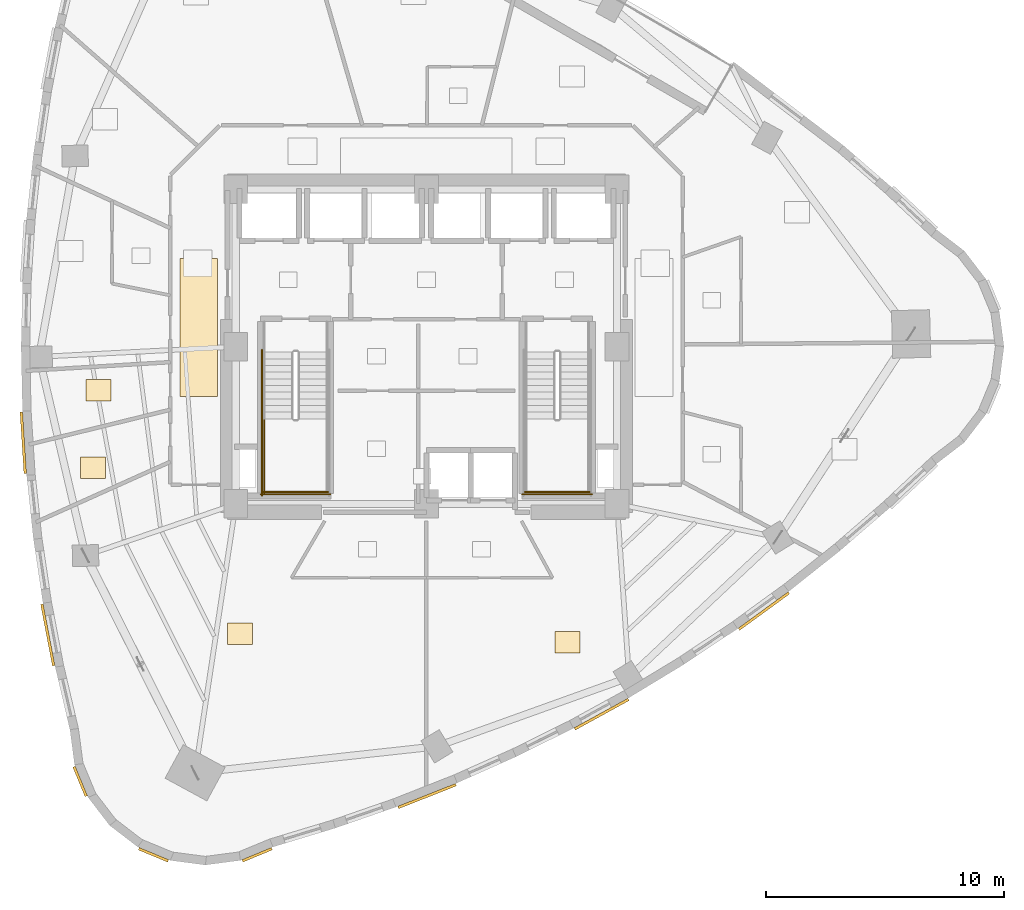
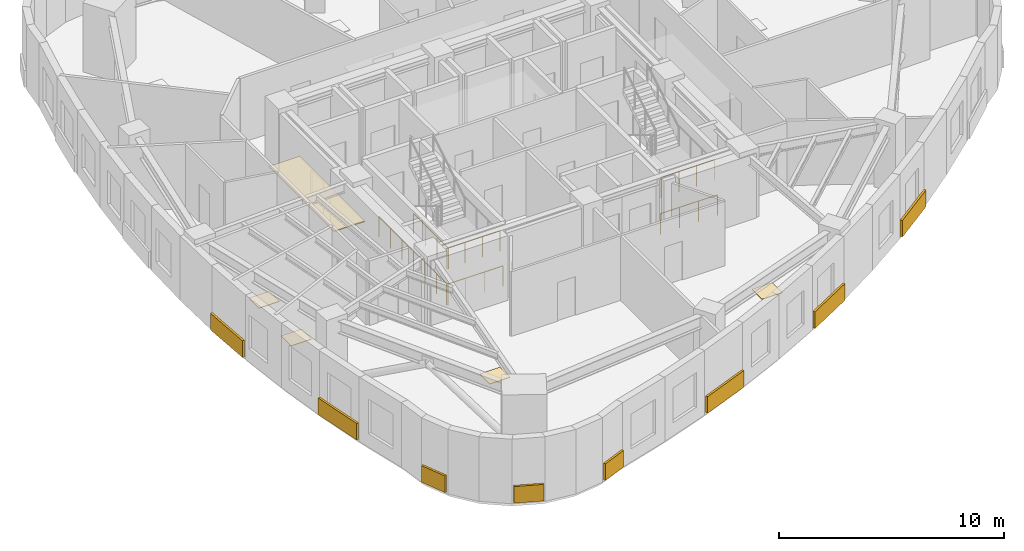
# One storey, part 12 of 14: 13 coverings, 6 railings.
"""IFC4 building model written with IfcOpenShell, lengths in metres."""

from ifc_helpers import new_model, si_unit, direction, frame, origin, origin_2d, place, context, subcontext, project, spatial, rectangle, circle, extrude, material, layer, layer_set, type_object, element, save


model = new_model("IFC4")

# Units and contexts
model_context = context("Model", 3, precision=1e-05, world=origin(), true_north=direction((0.0, 1.0)))
body_context = subcontext(model_context, "Body", "Model", "MODEL_VIEW")
ifc_project = project(units=[si_unit("LENGTHUNIT", "METRE"), si_unit("AREAUNIT", "SQUARE_METRE"), si_unit("VOLUMEUNIT", "CUBIC_METRE"), si_unit("PLANEANGLEUNIT", "RADIAN"), si_unit("MASSUNIT", "GRAM", prefix="KILO")], contexts=[model_context])

# Site, building, storey
site_placement = place(None, origin())
site = spatial("IfcSite", under=ifc_project, at=site_placement, CompositionType="ELEMENT")
building_placement = place(site_placement, origin())
building = spatial("IfcBuilding", under=site, at=building_placement, Name="Ndelora Gate Hotel", CompositionType="ELEMENT")
storey_placement = place(building_placement, frame((0.0, 0.0, 127.25)))
storey = spatial("IfcBuildingStorey", under=building, at=storey_placement, Name="L31", CompositionType="ELEMENT", Elevation=127.25)

# Coverings
ifc_material_1 = material(Name="Perforated Acoustic Gypsum Board", Category="gypsum")
ifc_layer_1 = layer(ifc_material_1, 0.054931640625)
ifc_layer_set_1 = layer_set([ifc_layer_1], Name="Perforated Acoustic Gypsum Board")
covering_type_1 = type_object("IfcCoveringType", Name="COV-CEIL-AC60", PredefinedType="CEILING", material=ifc_layer_set_1)
covering_1_placement = place(storey_placement, frame((-9.550048828125, 0.800048828125, 2.65234375), z_axis=(0.0, 0.0, 1.0), x_axis=(1.0, 0.0, 0.0)))
element("IfcCovering", 1, at=covering_1_placement, inside=storey, type_object=covering_type_1, Name="L31 Guest Corridor Acoustic Ceiling W", PredefinedType="CEILING", context=body_context, shape_type="SweptSolid", body=[
    extrude(rectangle(XDim=1.580078125, YDim=5.800048828125, at=origin_2d()), origin(), (0.0, 0.0, 1.0), 0.054931640625),
])
ifc_material_2 = material(Name="Terracotta Fired Clay Brick Slip Cladding", Category="masonry")
ifc_layer_2 = layer(ifc_material_2, 0.110107421875)
ifc_layer_set_2 = layer_set([ifc_layer_2], Name="Terracotta Fired Clay Brick Slip Cladding")
covering_type_2 = type_object("IfcCoveringType", Name="COV-CLAD-BRK", PredefinedType="CLADDING", material=ifc_layer_set_2)
covering_2_placement = place(storey_placement, frame((-16.9208984375, -4.033203125, 0.10009765625), z_axis=(0.0, 0.0, 1.0), x_axis=(-0.063661438132, 0.99797155335, 0.0)))
element("IfcCovering", 2, at=covering_2_placement, inside=storey, type_object=covering_type_2, Name="L31 Rounded-Corner Brick Cladding Band 16", PredefinedType="CLADDING", context=body_context, shape_type="SweptSolid", body=[
    extrude(rectangle(XDim=2.583984375, YDim=0.110107421875, at=origin_2d()), origin(), (0.0, 0.0, 1.0), 0.89990234375),
])
covering_3_placement = place(storey_placement, frame((-15.89208984375, -12.09912109375, 0.10009765625), z_axis=(0.0, 0.0, 1.0), x_axis=(-0.187895613278, 0.982189003456, 0.0)))
element("IfcCovering", 3, at=covering_3_placement, inside=storey, type_object=covering_type_2, Name="L31 Rounded-Corner Brick Cladding Band 19", PredefinedType="CLADDING", context=body_context, shape_type="SweptSolid", body=[
    extrude(rectangle(XDim=2.6279296875, YDim=0.110107421875, at=origin_2d()), origin(), (0.0, 0.0, 1.0), 0.89990234375),
])
for number, where, z_axis, x_axis, name in (
    (4, (-14.53369140625, -18.249755859375, 0.10009765625), (0.0, 0.0, 1.0), (-0.382683432365, 0.923879532511, 0.0), "L31 Rounded-Corner Brick Cladding Band 22"),
    (5, (-11.456298828125, -21.327392578125, 0.10009765625), (0.0, 0.0, 1.0), (-0.923879532511, 0.382683432365, 0.0), "L31 Rounded-Corner Brick Cladding Band 25"),
    (6, (-7.104248046875, -21.327392578125, 0.10009765625), (0.0, 0.0, 1.0), (0.923879532511, 0.382683432365, 0.0), "L31 Rounded-Corner Brick Cladding Band 28"),
):
    element("IfcCovering", number, at=place(storey_placement, frame(where, z_axis=z_axis, x_axis=x_axis)), inside=storey, type_object=covering_type_2, Name=name, PredefinedType="CLADDING", context=body_context, shape_type="SweptSolid", body=[
        extrude(rectangle(XDim=1.3359375, YDim=0.110107421875, at=origin_2d()), origin(), (0.0, 0.0, 1.0), 0.89990234375),
    ])
covering_4_placement = place(storey_placement, frame((0.02490234375, -18.8642578125, 0.10009765625), z_axis=(0.0, 0.0, 1.0), x_axis=(0.930161475141, 0.367150691357, 0.0)))
element("IfcCovering", 7, at=covering_4_placement, inside=storey, type_object=covering_type_2, Name="L31 Rounded-Corner Brick Cladding Band 31", PredefinedType="CLADDING", context=body_context, shape_type="SweptSolid", body=[
    extrude(rectangle(XDim=2.60791015625, YDim=0.110107421875, at=origin_2d()), origin(), (0.0, 0.0, 1.0), 0.89990234375),
])
covering_5_placement = place(storey_placement, frame((7.353271484375, -15.425048828125, 0.10009765625), z_axis=(0.0, 0.0, 1.0), x_axis=(0.876474790409, 0.481447756021, 0.0)))
element("IfcCovering", 8, at=covering_5_placement, inside=storey, type_object=covering_type_2, Name="L31 Rounded-Corner Brick Cladding Band 34", PredefinedType="CLADDING", context=body_context, shape_type="SweptSolid", body=[
    extrude(rectangle(XDim=2.580078125, YDim=0.110107421875, at=origin_2d()), origin(), (0.0, 0.0, 1.0), 0.89990234375),
])
covering_6_placement = place(storey_placement, frame((14.16748046875, -11.0947265625, 0.10009765625), z_axis=(0.0, 0.0, 1.0), x_axis=(0.808298275618, 0.588773214093, 0.0)))
element("IfcCovering", 9, at=covering_6_placement, inside=storey, type_object=covering_type_2, Name="L31 Rounded-Corner Brick Cladding Band 37", PredefinedType="CLADDING", context=body_context, shape_type="SweptSolid", body=[
    extrude(rectangle(XDim=2.593994140625, YDim=0.110107421875, at=origin_2d()), origin(), (0.0, 0.0, 1.0), 0.89990234375),
])
ifc_material_3 = material(Name="Engineered Highland Oak Parquet", Category="wood")
ifc_layer_3 = layer(ifc_material_3, 0.030029296875)
ifc_layer_set_3 = layer_set([ifc_layer_3], Name="Engineered Highland Oak Parquet")
covering_type_3 = type_object("IfcCoveringType", Name="COV-FLR-PARQ", PredefinedType="FLOORING", material=ifc_layer_set_3)
for number, where, z_axis, x_axis, name in (
    (10, (-7.831787109375, -12.0478515625, 0.0), (0.0, 0.0, 1.0), (1.0, 0.0, 0.0), "L31 Corner Diplomatic Suite 3401 Oak Parquet Flooring"),
    (11, (5.9208984375, -12.40966796875, 0.0), (0.0, 0.0, 1.0), (1.0, 0.0, 0.0), "L31 Club King Corner Suite 3402 Oak Parquet Flooring"),
    (12, (-13.7705078125, -1.8330078125, 0.0), (0.0, 0.0, 1.0), (1.0, 0.0, 0.0), "L31 Housekeeping and Linen Room Oak Parquet Flooring"),
    (13, (-13.990478515625, -5.079833984375, 0.0), (0.0, 0.0, 1.0), (1.0, 0.0, 0.0), "L31 Accessible WC Oak Parquet Flooring"),
):
    element("IfcCovering", number, at=place(storey_placement, frame(where, z_axis=z_axis, x_axis=x_axis)), inside=storey, type_object=covering_type_3, Name=name, PredefinedType="FLOORING", context=body_context, shape_type="SweptSolid", body=[
        extrude(rectangle(XDim=1.050048828125, YDim=0.89990234375, at=origin_2d()), origin(), (0.0, 0.0, 1.0), 0.030029296875),
    ])

# Railings
ifc_material_4 = material(Name="Painted Galvanized Steel Balustrade", Category="steel")
ifc_layer_4 = layer(ifc_material_4, 0.06005859375)
ifc_layer_set_4 = layer_set([ifc_layer_4], Name="Painted Galvanized Steel Balustrade")
railing_type = type_object("IfcRailingType", Name="RL-STAIR-GD", PredefinedType="GUARDRAIL", material=ifc_layer_set_4)
railing_1_placement = place(storey_placement, frame((-6.800048828125, -3.030029296875, 1.875)))
element("IfcRailing", 14, at=railing_1_placement, inside=storey, type_object=railing_type, Name="L31 ST4 stair guard 3", PredefinedType="GUARDRAIL", context=body_context, shape_type="SweptSolid", body=[
    extrude(circle(Radius=0.02392578125, at=origin_2d()), frame((0.0, 0.0, 1.10595703125), z_axis=(0.0, -1.0, 0.0), x_axis=(1.0, 0.0, 0.0)), (0.0, 0.0, 1.0), 3.119873046875),
    extrude(circle(Radius=0.02099609375, at=origin_2d()), origin(), (0.0, 0.0, 1.0), 1.081787109375),
    extrude(circle(Radius=0.02099609375, at=origin_2d()), frame((0.0, -1.0400390625, 0.0)), (0.0, 0.0, 1.0), 1.081787109375),
    extrude(circle(Radius=0.02099609375, at=origin_2d()), frame((0.0, -2.079833984375, 0.0)), (0.0, 0.0, 1.0), 1.081787109375),
    extrude(circle(Radius=0.02099609375, at=origin_2d()), frame((0.0, -3.119873046875, 0.0)), (0.0, 0.0, 1.0), 1.081787109375),
])
railing_2_placement = place(storey_placement, frame((-6.85009765625, -6.10009765625, 1.875)))
element("IfcRailing", 15, at=railing_2_placement, inside=storey, type_object=railing_type, Name="L31 ST4 stair guard 5", PredefinedType="GUARDRAIL", context=body_context, shape_type="SweptSolid", body=[
    extrude(circle(Radius=0.02392578125, at=origin_2d()), frame((0.0, 0.0, 1.10595703125), z_axis=(1.0, 0.0, 0.0), x_axis=(0.0, 1.0, 0.0)), (0.0, 0.0, 1.0), 2.72021484375),
    extrude(circle(Radius=0.02099609375, at=origin_2d()), origin(), (0.0, 0.0, 1.0), 1.081787109375),
    extrude(circle(Radius=0.02099609375, at=origin_2d()), frame((0.90673828125, 0.0, 0.0)), (0.0, 0.0, 1.0), 1.081787109375),
    extrude(circle(Radius=0.02099609375, at=origin_2d()), frame((1.8134765625, 0.0, 0.0)), (0.0, 0.0, 1.0), 1.081787109375),
    extrude(circle(Radius=0.02099609375, at=origin_2d()), frame((2.72021484375, 0.0, 0.0)), (0.0, 0.0, 1.0), 1.081787109375),
])
railing_3_placement = place(storey_placement, frame((-6.89990234375, -0.1298828125, 0.0)))
element("IfcRailing", 16, at=railing_3_placement, inside=storey, type_object=railing_type, Name="L31 ST4 stair guard 10", PredefinedType="GUARDRAIL", context=body_context, shape_type="SweptSolid", body=[
    extrude(circle(Radius=0.02392578125, at=origin_2d()), frame((0.0, 0.0, 1.10595703125), z_axis=(0.0, -1.0, 0.0), x_axis=(1.0, 0.0, 0.0)), (0.0, 0.0, 1.0), 6.1201171875),
    extrude(circle(Radius=0.02099609375, at=origin_2d()), origin(), (0.0, 0.0, 1.0), 1.081787109375),
    extrude(circle(Radius=0.02099609375, at=origin_2d()), frame((0.0, -1.02001953125, 0.0)), (0.0, 0.0, 1.0), 1.081787109375),
    extrude(circle(Radius=0.02099609375, at=origin_2d()), frame((0.0, -2.0400390625, 0.0)), (0.0, 0.0, 1.0), 1.081787109375),
    extrude(circle(Radius=0.02099609375, at=origin_2d()), frame((0.0, -3.06005859375, 0.0)), (0.0, 0.0, 1.0), 1.081787109375),
    extrude(circle(Radius=0.02099609375, at=origin_2d()), frame((0.0, -4.080078125, 0.0)), (0.0, 0.0, 1.0), 1.081787109375),
    extrude(circle(Radius=0.02099609375, at=origin_2d()), frame((0.0, -5.10009765625, 0.0)), (0.0, 0.0, 1.0), 1.081787109375),
    extrude(circle(Radius=0.02099609375, at=origin_2d()), frame((0.0, -6.1201171875, 0.0)), (0.0, 0.0, 1.0), 1.081787109375),
])
railing_4_placement = place(storey_placement, frame((-6.949951171875, -6.199951171875, 0.0)))
element("IfcRailing", 17, at=railing_4_placement, inside=storey, type_object=railing_type, Name="L31 ST4 stair guard 12", PredefinedType="GUARDRAIL", context=body_context, shape_type="SweptSolid", body=[
    extrude(circle(Radius=0.02392578125, at=origin_2d()), frame((0.0, 0.0, 1.10595703125), z_axis=(1.0, 0.0, 0.0), x_axis=(0.0, 1.0, 0.0)), (0.0, 0.0, 1.0), 2.919921875),
    extrude(circle(Radius=0.02099609375, at=origin_2d()), origin(), (0.0, 0.0, 1.0), 1.081787109375),
    extrude(circle(Radius=0.02099609375, at=origin_2d()), frame((0.973388671875, 0.0, 0.0)), (0.0, 0.0, 1.0), 1.081787109375),
    extrude(circle(Radius=0.02099609375, at=origin_2d()), frame((1.946533203125, 0.0, 0.0)), (0.0, 0.0, 1.0), 1.081787109375),
    extrude(circle(Radius=0.02099609375, at=origin_2d()), frame((2.919921875, 0.0, 0.0)), (0.0, 0.0, 1.0), 1.081787109375),
])
railing_5_placement = place(storey_placement, frame((4.1298828125, -6.10009765625, 1.875)))
element("IfcRailing", 18, at=railing_5_placement, inside=storey, type_object=railing_type, Name="L31 ST5 stair guard 5", PredefinedType="GUARDRAIL", context=body_context, shape_type="SweptSolid", body=[
    extrude(circle(Radius=0.02392578125, at=origin_2d()), frame((0.0, 0.0, 1.10595703125), z_axis=(1.0, 0.0, 0.0), x_axis=(0.0, 1.0, 0.0)), (0.0, 0.0, 1.0), 2.72021484375),
    extrude(circle(Radius=0.02099609375, at=origin_2d()), origin(), (0.0, 0.0, 1.0), 1.081787109375),
    extrude(circle(Radius=0.02099609375, at=origin_2d()), frame((0.90673828125, 0.0, 0.0)), (0.0, 0.0, 1.0), 1.081787109375),
    extrude(circle(Radius=0.02099609375, at=origin_2d()), frame((1.8134765625, 0.0, 0.0)), (0.0, 0.0, 1.0), 1.081787109375),
    extrude(circle(Radius=0.02099609375, at=origin_2d()), frame((2.72021484375, 0.0, 0.0)), (0.0, 0.0, 1.0), 1.081787109375),
])
railing_6_placement = place(storey_placement, frame((4.030029296875, -6.199951171875, 0.0)))
element("IfcRailing", 19, at=railing_6_placement, inside=storey, type_object=railing_type, Name="L31 ST5 stair guard 12", PredefinedType="GUARDRAIL", context=body_context, shape_type="SweptSolid", body=[
    extrude(circle(Radius=0.02392578125, at=origin_2d()), frame((0.0, 0.0, 1.10595703125), z_axis=(1.0, 0.0, 0.0), x_axis=(0.0, 1.0, 0.0)), (0.0, 0.0, 1.0), 2.919921875),
    extrude(circle(Radius=0.02099609375, at=origin_2d()), origin(), (0.0, 0.0, 1.0), 1.081787109375),
    extrude(circle(Radius=0.02099609375, at=origin_2d()), frame((0.973388671875, 0.0, 0.0)), (0.0, 0.0, 1.0), 1.081787109375),
    extrude(circle(Radius=0.02099609375, at=origin_2d()), frame((1.946533203125, 0.0, 0.0)), (0.0, 0.0, 1.0), 1.081787109375),
    extrude(circle(Radius=0.02099609375, at=origin_2d()), frame((2.919921875, 0.0, 0.0)), (0.0, 0.0, 1.0), 1.081787109375),
])

save(model, "model.ifc")
